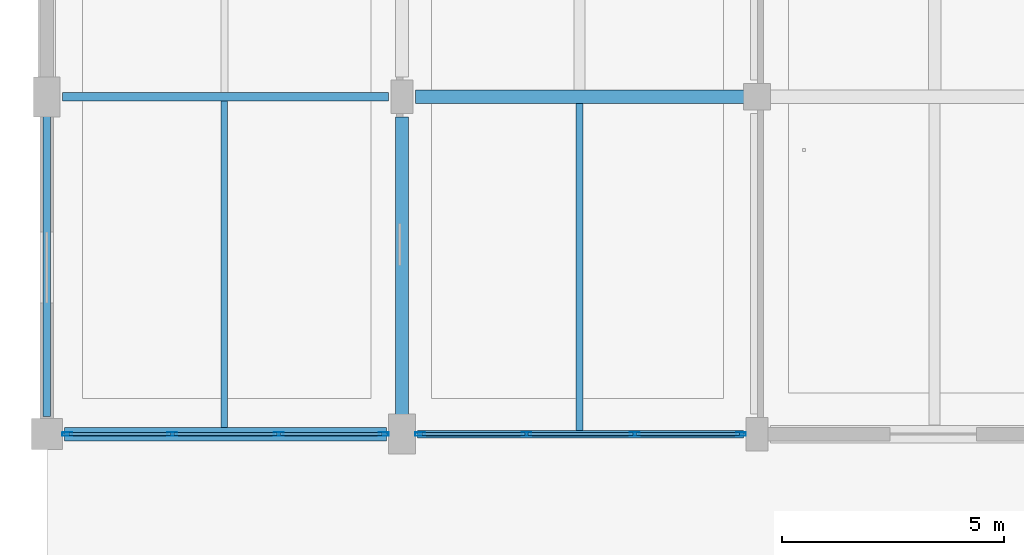
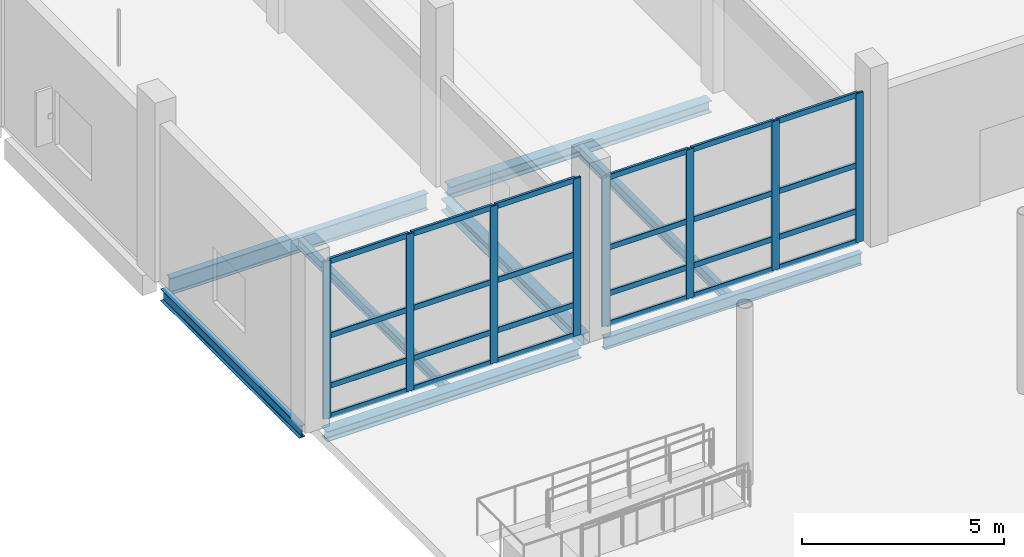
# One storey, part 26 of 126: 32 members, 8 beams, 2 elements without a shape of their own.
"""IFC4 building model written with IfcOpenShell, lengths in metres."""

from ifc_helpers import new_model, si_unit, direction, frame, origin, origin_2d, place, context, subcontext, project, spatial, hollow_rectangle, i_section, extrude, material, material_profile, profile_set, type_object, element, aggregate, save


model = new_model("IFC4")

# Units and contexts
model_context = context("Model", 3, precision=1e-05, world=origin(), true_north=direction((0.0, 1.0)))
body_context = subcontext(model_context, "Body", "Model", "MODEL_VIEW")
ifc_project = project(units=[si_unit("LENGTHUNIT", "METRE"), si_unit("AREAUNIT", "SQUARE_METRE"), si_unit("VOLUMEUNIT", "CUBIC_METRE"), si_unit("PLANEANGLEUNIT", "RADIAN"), si_unit("MASSUNIT", "GRAM", prefix="KILO")], contexts=[model_context])

# Site, building, storey
site_placement = place(None, origin())
site = spatial("IfcSite", under=ifc_project, at=site_placement, CompositionType="ELEMENT")
building_placement = place(site_placement, origin())
building = spatial("IfcBuilding", under=site, at=building_placement, Name="Khelvaren Railside Concert Hall", CompositionType="ELEMENT")
storey_placement = place(building_placement, origin())
storey = spatial("IfcBuildingStorey", under=building, at=storey_placement, Name="L00", CompositionType="ELEMENT", Elevation=0.0)

# Beams
ifc_material_1 = material(Name="Steel S355", Category="steel")
ifc_material_profile_1 = material_profile(ifc_material_1, i_section(OverallWidth=0.199951171875, OverallDepth=0.5, WebThickness=0.01025390625, FlangeThickness=0.01611328125, FilletRadius=0.02099609375, at=origin_2d()), Name="IPE 500")
ifc_profile_set_1 = profile_set([ifc_material_profile_1], Name="Steel S355")
beam_type_1 = type_object("IfcBeamType", Name="BM62", PredefinedType="BEAM", material=ifc_profile_set_1)
beam_1_placement = place(storey_placement, frame((0.35009765625, 76.0, -0.570068359375), z_axis=(1.0, 0.0, 0.0), x_axis=(0.0, 1.0, 0.0)))
element("IfcBeam", 1, at=beam_1_placement, inside=storey, type_object=beam_type_1, Name="V4 L00 Beam X2.1", PredefinedType="BEAM", context=body_context, shape_type="SweptSolid", body=[
    extrude(i_section(OverallWidth=0.199951171875, OverallDepth=0.5, WebThickness=0.01025390625, FlangeThickness=0.01611328125, FilletRadius=0.02099609375, at=origin_2d()), origin(), (0.0, 0.0, 1.0), 7.349853515625),
])
ifc_material_profile_2 = material_profile(ifc_material_1, i_section(OverallWidth=0.300048828125, OverallDepth=0.35009765625, WebThickness=0.010009765625, FlangeThickness=0.017578125, FilletRadius=0.027099609375, at=origin_2d()), Name="HEA 360")
ifc_profile_set_2 = profile_set([ifc_material_profile_2], Name="Steel S355")
beam_type_2 = type_object("IfcBeamType", Name="BM73", PredefinedType="BEAM", material=ifc_profile_set_2)
beam_2_placement = place(storey_placement, frame((8.300048828125, 76.0, -0.4951171875), z_axis=(1.0, 0.0, 0.0), x_axis=(0.0, 1.0, 0.0)))
element("IfcBeam", 2, at=beam_2_placement, inside=storey, type_object=beam_type_2, Name="V4 L00 Beam X2.2", PredefinedType="BEAM", context=body_context, shape_type="SweptSolid", body=[
    extrude(i_section(OverallWidth=0.300048828125, OverallDepth=0.35009765625, WebThickness=0.010009765625, FlangeThickness=0.017578125, FilletRadius=0.027099609375, at=origin_2d()), origin(), (0.0, 0.0, 1.0), 7.449951171875),
])
beam_3_placement = place(storey_placement, frame((8.0, 68.75, -0.4951171875), z_axis=(0.0, 1.0, 0.0), x_axis=(-1.0, 0.0, 0.0)))
element("IfcBeam", 3, at=beam_3_placement, inside=storey, type_object=beam_type_2, Name="V4 L00 Beam Y2.1", PredefinedType="BEAM", context=body_context, shape_type="SweptSolid", body=[
    extrude(i_section(OverallWidth=0.300048828125, OverallDepth=0.35009765625, WebThickness=0.010009765625, FlangeThickness=0.017578125, FilletRadius=0.027099609375, at=origin_2d()), origin(), (0.0, 0.0, 1.0), 6.800048828125),
])

# Curtain wall, members
ifc_material_2 = material(Name="Triple-glazed solar-control glass", Category="glass")
curtain_wall_type_1 = type_object("IfcCurtainWallType", Name="CW41", PredefinedType="USERDEFINED", material=ifc_material_2)
curtain_wall_1_placement = place(storey_placement, origin())
curtain_wall_1 = element("IfcCurtainWall", 4, at=curtain_wall_1_placement, inside=storey, type_object=curtain_wall_type_1, Name="Unitised Curtain Wall CW-V4-L00-S-0", ObjectType="UNITISED CURTAIN WALL", PredefinedType="USERDEFINED")
ifc_material_3 = material(Name="Anodised architectural aluminium 6063-T6", Category="aluminium")
ifc_material_profile_3 = material_profile(ifc_material_3, hollow_rectangle(XDim=0.074951171875, YDim=0.219970703125, WallThickness=0.0048828125, InnerFilletRadius=0.0029296875, OuterFilletRadius=0.0048828125, at=origin_2d()), Name="CWM 75x220x5")
ifc_profile_set_3 = profile_set([ifc_material_profile_3], Name="Anodised architectural aluminium 6063-T6")
member_type_1 = type_object("IfcMemberType", Name="CWM13", PredefinedType="MULLION", material=ifc_profile_set_3)
member_1_placement = place(storey_placement, frame((7.590087890625, 68.39990234375, 0.0), z_axis=(0.0, 0.0, 1.0), x_axis=(0.0, -1.0, 0.0)))
member_1 = element("IfcMember", 5, at=member_1_placement, type_object=member_type_1, Name="CW41 mullion 1", PredefinedType="MULLION", context=body_context, shape_type="SweptSolid", body=[
    extrude(hollow_rectangle(XDim=0.074951171875, YDim=0.219970703125, WallThickness=0.0048828125, InnerFilletRadius=0.0029296875, OuterFilletRadius=0.0048828125, at=origin_2d()), origin(), (0.0, 0.0, 1.0), 4.739990234375),
])
member_2_placement = place(storey_placement, frame((5.225830078125, 68.39990234375, 0.0), z_axis=(0.0, 0.0, 1.0), x_axis=(0.0, -1.0, 0.0)))
member_2 = element("IfcMember", 6, at=member_2_placement, type_object=member_type_1, Name="CW41 mullion 2", PredefinedType="MULLION", context=body_context, shape_type="SweptSolid", body=[
    extrude(hollow_rectangle(XDim=0.074951171875, YDim=0.219970703125, WallThickness=0.0048828125, InnerFilletRadius=0.0029296875, OuterFilletRadius=0.0048828125, at=origin_2d()), origin(), (0.0, 0.0, 1.0), 4.739990234375),
])
member_3_placement = place(storey_placement, frame((2.82421875, 68.39990234375, 0.0), z_axis=(0.0, 0.0, 1.0), x_axis=(0.0, -1.0, 0.0)))
member_3 = element("IfcMember", 7, at=member_3_placement, type_object=member_type_1, Name="CW41 mullion 3", PredefinedType="MULLION", context=body_context, shape_type="SweptSolid", body=[
    extrude(hollow_rectangle(XDim=0.074951171875, YDim=0.219970703125, WallThickness=0.0048828125, InnerFilletRadius=0.0029296875, OuterFilletRadius=0.0048828125, at=origin_2d()), origin(), (0.0, 0.0, 1.0), 4.739990234375),
])
member_4_placement = place(storey_placement, frame((0.4599609375, 68.39990234375, 0.0), z_axis=(0.0, 0.0, 1.0), x_axis=(0.0, -1.0, 0.0)))
member_4 = element("IfcMember", 8, at=member_4_placement, type_object=member_type_1, Name="CW41 mullion 4", PredefinedType="MULLION", context=body_context, shape_type="SweptSolid", body=[
    extrude(hollow_rectangle(XDim=0.074951171875, YDim=0.219970703125, WallThickness=0.0048828125, InnerFilletRadius=0.0029296875, OuterFilletRadius=0.0048828125, at=origin_2d()), origin(), (0.0, 0.0, 1.0), 4.739990234375),
])

curtain_wall_type_2 = type_object("IfcCurtainWallType", Name="CW88", PredefinedType="USERDEFINED", material=ifc_material_2)
curtain_wall_2_placement = place(storey_placement, origin())
curtain_wall_2 = element("IfcCurtainWall", 9, at=curtain_wall_2_placement, inside=storey, type_object=curtain_wall_type_2, Name="Unitised Curtain Wall CW-V4-L00-S-8", ObjectType="UNITISED CURTAIN WALL", PredefinedType="USERDEFINED")
member_5_placement = place(storey_placement, frame((15.639892578125, 68.39990234375, 0.0), z_axis=(0.0, 0.0, 1.0), x_axis=(0.0, -1.0, 0.0)))
member_5 = element("IfcMember", 10, at=member_5_placement, type_object=member_type_1, Name="CW88 mullion 1", PredefinedType="MULLION", context=body_context, shape_type="SweptSolid", body=[
    extrude(hollow_rectangle(XDim=0.074951171875, YDim=0.219970703125, WallThickness=0.0048828125, InnerFilletRadius=0.0029296875, OuterFilletRadius=0.0048828125, at=origin_2d()), origin(), (0.0, 0.0, 1.0), 4.489990234375),
])
member_6_placement = place(storey_placement, frame((13.242431640625, 68.39990234375, 0.0), z_axis=(0.0, 0.0, 1.0), x_axis=(0.0, -1.0, 0.0)))
member_6 = element("IfcMember", 11, at=member_6_placement, type_object=member_type_1, Name="CW88 mullion 2", PredefinedType="MULLION", context=body_context, shape_type="SweptSolid", body=[
    extrude(hollow_rectangle(XDim=0.074951171875, YDim=0.219970703125, WallThickness=0.0048828125, InnerFilletRadius=0.0029296875, OuterFilletRadius=0.0048828125, at=origin_2d()), origin(), (0.0, 0.0, 1.0), 4.489990234375),
])
member_7_placement = place(storey_placement, frame((10.8076171875, 68.39990234375, 0.0), z_axis=(0.0, 0.0, 1.0), x_axis=(0.0, -1.0, 0.0)))
member_7 = element("IfcMember", 12, at=member_7_placement, type_object=member_type_1, Name="CW88 mullion 3", PredefinedType="MULLION", context=body_context, shape_type="SweptSolid", body=[
    extrude(hollow_rectangle(XDim=0.074951171875, YDim=0.219970703125, WallThickness=0.0048828125, InnerFilletRadius=0.0029296875, OuterFilletRadius=0.0048828125, at=origin_2d()), origin(), (0.0, 0.0, 1.0), 4.489990234375),
])
member_8_placement = place(storey_placement, frame((8.409912109375, 68.39990234375, 0.0), z_axis=(0.0, 0.0, 1.0), x_axis=(0.0, -1.0, 0.0)))
member_8 = element("IfcMember", 13, at=member_8_placement, type_object=member_type_1, Name="CW88 mullion 4", PredefinedType="MULLION", context=body_context, shape_type="SweptSolid", body=[
    extrude(hollow_rectangle(XDim=0.074951171875, YDim=0.219970703125, WallThickness=0.0048828125, InnerFilletRadius=0.0029296875, OuterFilletRadius=0.0048828125, at=origin_2d()), origin(), (0.0, 0.0, 1.0), 4.489990234375),
])

# Member
ifc_material_profile_4 = material_profile(ifc_material_3, hollow_rectangle(XDim=0.074951171875, YDim=0.1650390625, WallThickness=0.00390625, InnerFilletRadius=0.001953125, OuterFilletRadius=0.00390625, at=origin_2d()), Name="CWT 75x165x4")
ifc_profile_set_4 = profile_set([ifc_material_profile_4], Name="Anodised architectural aluminium 6063-T6")
member_type_2 = type_object("IfcMemberType", Name="CWT46", PredefinedType="USERDEFINED", material=ifc_profile_set_4)
member_9_placement = place(storey_placement, frame((7.552490234375, 68.39990234375, 0.03759765625), z_axis=(-1.0, 0.0, 0.0), x_axis=(0.0, -1.0, 0.0)))
member_9 = element("IfcMember", 14, at=member_9_placement, type_object=member_type_2, Name="CW41 transom 1.1", ObjectType="TRANSOM", PredefinedType="USERDEFINED", context=body_context, shape_type="SweptSolid", body=[
    extrude(hollow_rectangle(XDim=0.074951171875, YDim=0.1650390625, WallThickness=0.00390625, InnerFilletRadius=0.001953125, OuterFilletRadius=0.00390625, at=origin_2d()), origin(), (0.0, 0.0, 1.0), 2.2890625),
])

member_10_placement = place(storey_placement, frame((7.552490234375, 68.39990234375, 0.949951171875), z_axis=(-1.0, 0.0, 0.0), x_axis=(0.0, -1.0, 0.0)))
member_10 = element("IfcMember", 15, at=member_10_placement, type_object=member_type_2, Name="CW41 transom 1.2", ObjectType="TRANSOM", PredefinedType="USERDEFINED", context=body_context, shape_type="SweptSolid", body=[
    extrude(hollow_rectangle(XDim=0.074951171875, YDim=0.1650390625, WallThickness=0.00390625, InnerFilletRadius=0.001953125, OuterFilletRadius=0.00390625, at=origin_2d()), origin(), (0.0, 0.0, 1.0), 2.2890625),
])

member_11_placement = place(storey_placement, frame((7.552490234375, 68.39990234375, 2.46484375), z_axis=(-1.0, 0.0, 0.0), x_axis=(0.0, -1.0, 0.0)))
member_11 = element("IfcMember", 16, at=member_11_placement, type_object=member_type_2, Name="CW41 transom 1.3", ObjectType="TRANSOM", PredefinedType="USERDEFINED", context=body_context, shape_type="SweptSolid", body=[
    extrude(hollow_rectangle(XDim=0.074951171875, YDim=0.1650390625, WallThickness=0.00390625, InnerFilletRadius=0.001953125, OuterFilletRadius=0.00390625, at=origin_2d()), origin(), (0.0, 0.0, 1.0), 2.2890625),
])

member_12_placement = place(storey_placement, frame((7.552490234375, 68.39990234375, 4.702392578125), z_axis=(-1.0, 0.0, 0.0), x_axis=(0.0, -1.0, 0.0)))
member_12 = element("IfcMember", 17, at=member_12_placement, type_object=member_type_2, Name="CW41 transom 1.4", ObjectType="TRANSOM", PredefinedType="USERDEFINED", context=body_context, shape_type="SweptSolid", body=[
    extrude(hollow_rectangle(XDim=0.074951171875, YDim=0.1650390625, WallThickness=0.00390625, InnerFilletRadius=0.001953125, OuterFilletRadius=0.00390625, at=origin_2d()), origin(), (0.0, 0.0, 1.0), 2.2890625),
])

member_13_placement = place(storey_placement, frame((5.188232421875, 68.39990234375, 0.03759765625), z_axis=(-1.0, 0.0, 0.0), x_axis=(0.0, -1.0, 0.0)))
member_13 = element("IfcMember", 18, at=member_13_placement, type_object=member_type_2, Name="CW41 transom 2.1", ObjectType="TRANSOM", PredefinedType="USERDEFINED", context=body_context, shape_type="SweptSolid", body=[
    extrude(hollow_rectangle(XDim=0.074951171875, YDim=0.1650390625, WallThickness=0.00390625, InnerFilletRadius=0.001953125, OuterFilletRadius=0.00390625, at=origin_2d()), origin(), (0.0, 0.0, 1.0), 2.32666015625),
])

member_14_placement = place(storey_placement, frame((5.188232421875, 68.39990234375, 0.949951171875), z_axis=(-1.0, 0.0, 0.0), x_axis=(0.0, -1.0, 0.0)))
member_14 = element("IfcMember", 19, at=member_14_placement, type_object=member_type_2, Name="CW41 transom 2.2", ObjectType="TRANSOM", PredefinedType="USERDEFINED", context=body_context, shape_type="SweptSolid", body=[
    extrude(hollow_rectangle(XDim=0.074951171875, YDim=0.1650390625, WallThickness=0.00390625, InnerFilletRadius=0.001953125, OuterFilletRadius=0.00390625, at=origin_2d()), origin(), (0.0, 0.0, 1.0), 2.32666015625),
])

member_15_placement = place(storey_placement, frame((5.188232421875, 68.39990234375, 2.46484375), z_axis=(-1.0, 0.0, 0.0), x_axis=(0.0, -1.0, 0.0)))
member_15 = element("IfcMember", 20, at=member_15_placement, type_object=member_type_2, Name="CW41 transom 2.3", ObjectType="TRANSOM", PredefinedType="USERDEFINED", context=body_context, shape_type="SweptSolid", body=[
    extrude(hollow_rectangle(XDim=0.074951171875, YDim=0.1650390625, WallThickness=0.00390625, InnerFilletRadius=0.001953125, OuterFilletRadius=0.00390625, at=origin_2d()), origin(), (0.0, 0.0, 1.0), 2.32666015625),
])

member_16_placement = place(storey_placement, frame((5.188232421875, 68.39990234375, 4.702392578125), z_axis=(-1.0, 0.0, 0.0), x_axis=(0.0, -1.0, 0.0)))
member_16 = element("IfcMember", 21, at=member_16_placement, type_object=member_type_2, Name="CW41 transom 2.4", ObjectType="TRANSOM", PredefinedType="USERDEFINED", context=body_context, shape_type="SweptSolid", body=[
    extrude(hollow_rectangle(XDim=0.074951171875, YDim=0.1650390625, WallThickness=0.00390625, InnerFilletRadius=0.001953125, OuterFilletRadius=0.00390625, at=origin_2d()), origin(), (0.0, 0.0, 1.0), 2.32666015625),
])

member_17_placement = place(storey_placement, frame((2.78662109375, 68.39990234375, 0.03759765625), z_axis=(-1.0, 0.0, 0.0), x_axis=(0.0, -1.0, 0.0)))
member_17 = element("IfcMember", 22, at=member_17_placement, type_object=member_type_2, Name="CW41 transom 3.1", ObjectType="TRANSOM", PredefinedType="USERDEFINED", context=body_context, shape_type="SweptSolid", body=[
    extrude(hollow_rectangle(XDim=0.074951171875, YDim=0.1650390625, WallThickness=0.00390625, InnerFilletRadius=0.001953125, OuterFilletRadius=0.00390625, at=origin_2d()), origin(), (0.0, 0.0, 1.0), 2.2890625),
])

member_18_placement = place(storey_placement, frame((2.78662109375, 68.39990234375, 0.949951171875), z_axis=(-1.0, 0.0, 0.0), x_axis=(0.0, -1.0, 0.0)))
member_18 = element("IfcMember", 23, at=member_18_placement, type_object=member_type_2, Name="CW41 transom 3.2", ObjectType="TRANSOM", PredefinedType="USERDEFINED", context=body_context, shape_type="SweptSolid", body=[
    extrude(hollow_rectangle(XDim=0.074951171875, YDim=0.1650390625, WallThickness=0.00390625, InnerFilletRadius=0.001953125, OuterFilletRadius=0.00390625, at=origin_2d()), origin(), (0.0, 0.0, 1.0), 2.2890625),
])

member_19_placement = place(storey_placement, frame((2.78662109375, 68.39990234375, 2.46484375), z_axis=(-1.0, 0.0, 0.0), x_axis=(0.0, -1.0, 0.0)))
member_19 = element("IfcMember", 24, at=member_19_placement, type_object=member_type_2, Name="CW41 transom 3.3", ObjectType="TRANSOM", PredefinedType="USERDEFINED", context=body_context, shape_type="SweptSolid", body=[
    extrude(hollow_rectangle(XDim=0.074951171875, YDim=0.1650390625, WallThickness=0.00390625, InnerFilletRadius=0.001953125, OuterFilletRadius=0.00390625, at=origin_2d()), origin(), (0.0, 0.0, 1.0), 2.2890625),
])

member_20_placement = place(storey_placement, frame((2.78662109375, 68.39990234375, 4.702392578125), z_axis=(-1.0, 0.0, 0.0), x_axis=(0.0, -1.0, 0.0)))
member_20 = element("IfcMember", 25, at=member_20_placement, type_object=member_type_2, Name="CW41 transom 3.4", ObjectType="TRANSOM", PredefinedType="USERDEFINED", context=body_context, shape_type="SweptSolid", body=[
    extrude(hollow_rectangle(XDim=0.074951171875, YDim=0.1650390625, WallThickness=0.00390625, InnerFilletRadius=0.001953125, OuterFilletRadius=0.00390625, at=origin_2d()), origin(), (0.0, 0.0, 1.0), 2.2890625),
])

aggregate(curtain_wall_1, [member_1, member_2, member_3, member_4, member_9, member_10, member_11, member_12, member_13, member_14, member_15, member_16, member_17, member_18, member_19, member_20])

member_21_placement = place(storey_placement, frame((15.6025390625, 68.39990234375, 0.03759765625), z_axis=(-1.0, 0.0, 0.0), x_axis=(0.0, -1.0, 0.0)))
member_21 = element("IfcMember", 26, at=member_21_placement, type_object=member_type_2, Name="CW88 transom 1.1", ObjectType="TRANSOM", PredefinedType="USERDEFINED", context=body_context, shape_type="SweptSolid", body=[
    extrude(hollow_rectangle(XDim=0.074951171875, YDim=0.1650390625, WallThickness=0.00390625, InnerFilletRadius=0.001953125, OuterFilletRadius=0.00390625, at=origin_2d()), origin(), (0.0, 0.0, 1.0), 2.322509765625),
])

member_22_placement = place(storey_placement, frame((15.6025390625, 68.39990234375, 0.949951171875), z_axis=(-1.0, 0.0, 0.0), x_axis=(0.0, -1.0, 0.0)))
member_22 = element("IfcMember", 27, at=member_22_placement, type_object=member_type_2, Name="CW88 transom 1.2", ObjectType="TRANSOM", PredefinedType="USERDEFINED", context=body_context, shape_type="SweptSolid", body=[
    extrude(hollow_rectangle(XDim=0.074951171875, YDim=0.1650390625, WallThickness=0.00390625, InnerFilletRadius=0.001953125, OuterFilletRadius=0.00390625, at=origin_2d()), origin(), (0.0, 0.0, 1.0), 2.322509765625),
])

member_23_placement = place(storey_placement, frame((15.6025390625, 68.39990234375, 2.334716796875), z_axis=(-1.0, 0.0, 0.0), x_axis=(0.0, -1.0, 0.0)))
member_23 = element("IfcMember", 28, at=member_23_placement, type_object=member_type_2, Name="CW88 transom 1.3", ObjectType="TRANSOM", PredefinedType="USERDEFINED", context=body_context, shape_type="SweptSolid", body=[
    extrude(hollow_rectangle(XDim=0.074951171875, YDim=0.1650390625, WallThickness=0.00390625, InnerFilletRadius=0.001953125, OuterFilletRadius=0.00390625, at=origin_2d()), origin(), (0.0, 0.0, 1.0), 2.322509765625),
])

member_24_placement = place(storey_placement, frame((15.6025390625, 68.39990234375, 4.452392578125), z_axis=(-1.0, 0.0, 0.0), x_axis=(0.0, -1.0, 0.0)))
member_24 = element("IfcMember", 29, at=member_24_placement, type_object=member_type_2, Name="CW88 transom 1.4", ObjectType="TRANSOM", PredefinedType="USERDEFINED", context=body_context, shape_type="SweptSolid", body=[
    extrude(hollow_rectangle(XDim=0.074951171875, YDim=0.1650390625, WallThickness=0.00390625, InnerFilletRadius=0.001953125, OuterFilletRadius=0.00390625, at=origin_2d()), origin(), (0.0, 0.0, 1.0), 2.322509765625),
])

member_25_placement = place(storey_placement, frame((13.205078125, 68.39990234375, 0.03759765625), z_axis=(-1.0, 0.0, 0.0), x_axis=(0.0, -1.0, 0.0)))
member_25 = element("IfcMember", 30, at=member_25_placement, type_object=member_type_2, Name="CW88 transom 2.1", ObjectType="TRANSOM", PredefinedType="USERDEFINED", context=body_context, shape_type="SweptSolid", body=[
    extrude(hollow_rectangle(XDim=0.074951171875, YDim=0.1650390625, WallThickness=0.00390625, InnerFilletRadius=0.001953125, OuterFilletRadius=0.00390625, at=origin_2d()), origin(), (0.0, 0.0, 1.0), 2.360107421875),
])

member_26_placement = place(storey_placement, frame((13.205078125, 68.39990234375, 0.949951171875), z_axis=(-1.0, 0.0, 0.0), x_axis=(0.0, -1.0, 0.0)))
member_26 = element("IfcMember", 31, at=member_26_placement, type_object=member_type_2, Name="CW88 transom 2.2", ObjectType="TRANSOM", PredefinedType="USERDEFINED", context=body_context, shape_type="SweptSolid", body=[
    extrude(hollow_rectangle(XDim=0.074951171875, YDim=0.1650390625, WallThickness=0.00390625, InnerFilletRadius=0.001953125, OuterFilletRadius=0.00390625, at=origin_2d()), origin(), (0.0, 0.0, 1.0), 2.360107421875),
])

member_27_placement = place(storey_placement, frame((13.205078125, 68.39990234375, 2.334716796875), z_axis=(-1.0, 0.0, 0.0), x_axis=(0.0, -1.0, 0.0)))
member_27 = element("IfcMember", 32, at=member_27_placement, type_object=member_type_2, Name="CW88 transom 2.3", ObjectType="TRANSOM", PredefinedType="USERDEFINED", context=body_context, shape_type="SweptSolid", body=[
    extrude(hollow_rectangle(XDim=0.074951171875, YDim=0.1650390625, WallThickness=0.00390625, InnerFilletRadius=0.001953125, OuterFilletRadius=0.00390625, at=origin_2d()), origin(), (0.0, 0.0, 1.0), 2.360107421875),
])

member_28_placement = place(storey_placement, frame((13.205078125, 68.39990234375, 4.452392578125), z_axis=(-1.0, 0.0, 0.0), x_axis=(0.0, -1.0, 0.0)))
member_28 = element("IfcMember", 33, at=member_28_placement, type_object=member_type_2, Name="CW88 transom 2.4", ObjectType="TRANSOM", PredefinedType="USERDEFINED", context=body_context, shape_type="SweptSolid", body=[
    extrude(hollow_rectangle(XDim=0.074951171875, YDim=0.1650390625, WallThickness=0.00390625, InnerFilletRadius=0.001953125, OuterFilletRadius=0.00390625, at=origin_2d()), origin(), (0.0, 0.0, 1.0), 2.360107421875),
])

member_29_placement = place(storey_placement, frame((10.77001953125, 68.39990234375, 0.03759765625), z_axis=(-1.0, 0.0, 0.0), x_axis=(0.0, -1.0, 0.0)))
member_29 = element("IfcMember", 34, at=member_29_placement, type_object=member_type_2, Name="CW88 transom 3.1", ObjectType="TRANSOM", PredefinedType="USERDEFINED", context=body_context, shape_type="SweptSolid", body=[
    extrude(hollow_rectangle(XDim=0.074951171875, YDim=0.1650390625, WallThickness=0.00390625, InnerFilletRadius=0.001953125, OuterFilletRadius=0.00390625, at=origin_2d()), origin(), (0.0, 0.0, 1.0), 2.322509765625),
])

member_30_placement = place(storey_placement, frame((10.77001953125, 68.39990234375, 0.949951171875), z_axis=(-1.0, 0.0, 0.0), x_axis=(0.0, -1.0, 0.0)))
member_30 = element("IfcMember", 35, at=member_30_placement, type_object=member_type_2, Name="CW88 transom 3.2", ObjectType="TRANSOM", PredefinedType="USERDEFINED", context=body_context, shape_type="SweptSolid", body=[
    extrude(hollow_rectangle(XDim=0.074951171875, YDim=0.1650390625, WallThickness=0.00390625, InnerFilletRadius=0.001953125, OuterFilletRadius=0.00390625, at=origin_2d()), origin(), (0.0, 0.0, 1.0), 2.322509765625),
])

member_31_placement = place(storey_placement, frame((10.77001953125, 68.39990234375, 2.334716796875), z_axis=(-1.0, 0.0, 0.0), x_axis=(0.0, -1.0, 0.0)))
member_31 = element("IfcMember", 36, at=member_31_placement, type_object=member_type_2, Name="CW88 transom 3.3", ObjectType="TRANSOM", PredefinedType="USERDEFINED", context=body_context, shape_type="SweptSolid", body=[
    extrude(hollow_rectangle(XDim=0.074951171875, YDim=0.1650390625, WallThickness=0.00390625, InnerFilletRadius=0.001953125, OuterFilletRadius=0.00390625, at=origin_2d()), origin(), (0.0, 0.0, 1.0), 2.322509765625),
])

member_32_placement = place(storey_placement, frame((10.77001953125, 68.39990234375, 4.452392578125), z_axis=(-1.0, 0.0, 0.0), x_axis=(0.0, -1.0, 0.0)))
member_32 = element("IfcMember", 37, at=member_32_placement, type_object=member_type_2, Name="CW88 transom 3.4", ObjectType="TRANSOM", PredefinedType="USERDEFINED", context=body_context, shape_type="SweptSolid", body=[
    extrude(hollow_rectangle(XDim=0.074951171875, YDim=0.1650390625, WallThickness=0.00390625, InnerFilletRadius=0.001953125, OuterFilletRadius=0.00390625, at=origin_2d()), origin(), (0.0, 0.0, 1.0), 2.322509765625),
])

aggregate(curtain_wall_2, [member_5, member_6, member_7, member_8, member_21, member_22, member_23, member_24, member_25, member_26, member_27, member_28, member_29, member_30, member_31, member_32])

# Beams
ifc_material_profile_5 = material_profile(ifc_material_1, i_section(OverallWidth=0.14990234375, OverallDepth=0.300048828125, WebThickness=0.007080078125, FlangeThickness=0.0107421875, FilletRadius=0.014892578125, at=origin_2d()), Name="IPE 300")
ifc_profile_set_5 = profile_set([ifc_material_profile_5], Name="Steel S355")
beam_type_3 = type_object("IfcBeamType", Name="JS26", PredefinedType="JOIST", material=ifc_profile_set_5)
beam_4_placement = place(storey_placement, frame((4.0, 68.550048828125, -0.469970703125), z_axis=(0.0, 1.0, 0.0), x_axis=(-1.0, 0.0, 0.0)))
element("IfcBeam", 38, at=beam_4_placement, inside=storey, type_object=beam_type_3, Name="V4 L00 Secondary Joist 1.1", PredefinedType="JOIST", context=body_context, shape_type="SweptSolid", body=[
    extrude(i_section(OverallWidth=0.14990234375, OverallDepth=0.300048828125, WebThickness=0.007080078125, FlangeThickness=0.0107421875, FilletRadius=0.014892578125, at=origin_2d()), origin(), (0.0, 0.0, 1.0), 7.349853515625),
])
ifc_material_profile_6 = material_profile(ifc_material_1, i_section(OverallWidth=0.159912109375, OverallDepth=0.330078125, WebThickness=0.007568359375, FlangeThickness=0.011474609375, FilletRadius=0.01806640625, at=origin_2d()), Name="IPE 330")
ifc_profile_set_6 = profile_set([ifc_material_profile_6], Name="Steel S355")
beam_type_4 = type_object("IfcBeamType", Name="JS65", PredefinedType="JOIST", material=ifc_profile_set_6)
beam_5_placement = place(storey_placement, frame((12.0, 68.485107421875, -0.485107421875), z_axis=(0.0, 1.0, 0.0), x_axis=(-1.0, 0.0, 0.0)))
element("IfcBeam", 39, at=beam_5_placement, inside=storey, type_object=beam_type_4, Name="V4 L00 Secondary Joist 2.1", PredefinedType="JOIST", context=body_context, shape_type="SweptSolid", body=[
    extrude(i_section(OverallWidth=0.159912109375, OverallDepth=0.330078125, WebThickness=0.007568359375, FlangeThickness=0.011474609375, FilletRadius=0.01806640625, at=origin_2d()), origin(), (0.0, 0.0, 1.0), 7.364990234375),
])
ifc_material_profile_7 = material_profile(ifc_material_1, i_section(OverallWidth=0.300048828125, OverallDepth=0.31005859375, WebThickness=0.009033203125, FlangeThickness=0.015380859375, FilletRadius=0.027099609375, at=origin_2d()), Name="HEA 320")
ifc_profile_set_7 = profile_set([ifc_material_profile_7], Name="Steel S355")
beam_type_5 = type_object("IfcBeamType", Name="SP66", PredefinedType="SPANDREL", material=ifc_profile_set_7)
beam_6_placement = place(storey_placement, frame((0.39990234375, 68.39990234375, -0.47509765625), z_axis=(1.0, 0.0, 0.0), x_axis=(0.0, 1.0, 0.0)))
element("IfcBeam", 40, at=beam_6_placement, inside=storey, type_object=beam_type_5, Name="V4 L00 Spandrel X1.1", PredefinedType="SPANDREL", context=body_context, shape_type="SweptSolid", body=[
    extrude(i_section(OverallWidth=0.300048828125, OverallDepth=0.31005859375, WebThickness=0.009033203125, FlangeThickness=0.015380859375, FilletRadius=0.027099609375, at=origin_2d()), origin(), (0.0, 0.0, 1.0), 7.25),
])
ifc_material_profile_8 = material_profile(ifc_material_1, i_section(OverallWidth=0.169921875, OverallDepth=0.360107421875, WebThickness=0.008056640625, FlangeThickness=0.0126953125, FilletRadius=0.01806640625, at=origin_2d()), Name="IPE 360")
ifc_profile_set_8 = profile_set([ifc_material_profile_8], Name="Steel S355")
beam_type_6 = type_object("IfcBeamType", Name="SP74", PredefinedType="SPANDREL", material=ifc_profile_set_8)
beam_7_placement = place(storey_placement, frame((8.35009765625, 68.39990234375, -0.5), z_axis=(1.0, 0.0, 0.0), x_axis=(0.0, 1.0, 0.0)))
element("IfcBeam", 41, at=beam_7_placement, inside=storey, type_object=beam_type_6, Name="V4 L00 Spandrel X1.2", PredefinedType="SPANDREL", context=body_context, shape_type="SweptSolid", body=[
    extrude(i_section(OverallWidth=0.169921875, OverallDepth=0.360107421875, WebThickness=0.008056640625, FlangeThickness=0.0126953125, FilletRadius=0.01806640625, at=origin_2d()), origin(), (0.0, 0.0, 1.0), 7.349853515625),
])
beam_8_placement = place(storey_placement, frame((0.0, 68.800048828125, -0.5), z_axis=(0.0, 1.0, 0.0), x_axis=(-1.0, 0.0, 0.0)))
element("IfcBeam", 42, at=beam_8_placement, inside=storey, type_object=beam_type_6, Name="V4 L00 Spandrel Y1.1", PredefinedType="SPANDREL", context=body_context, shape_type="SweptSolid", body=[
    extrude(i_section(OverallWidth=0.169921875, OverallDepth=0.360107421875, WebThickness=0.008056640625, FlangeThickness=0.0126953125, FilletRadius=0.01806640625, at=origin_2d()), origin(), (0.0, 0.0, 1.0), 6.849853515625),
])

save(model, "model.ifc")
